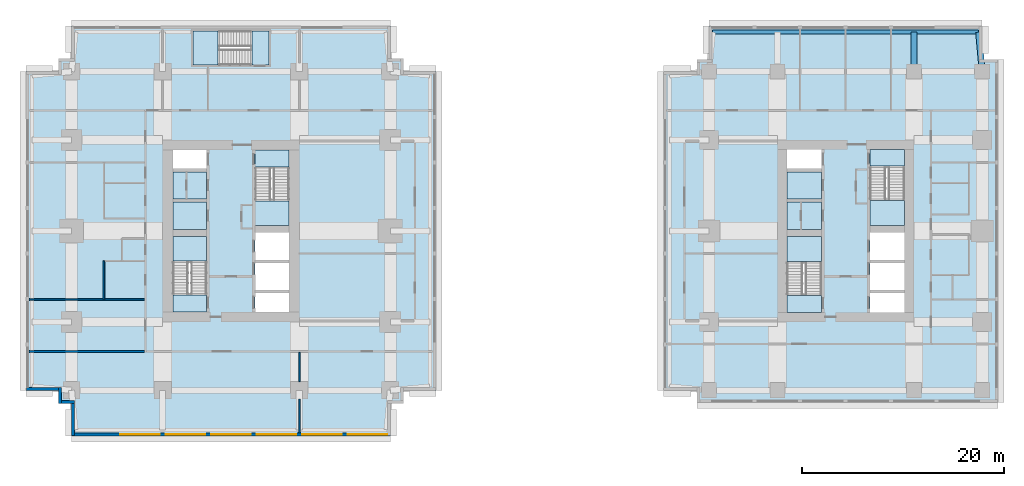
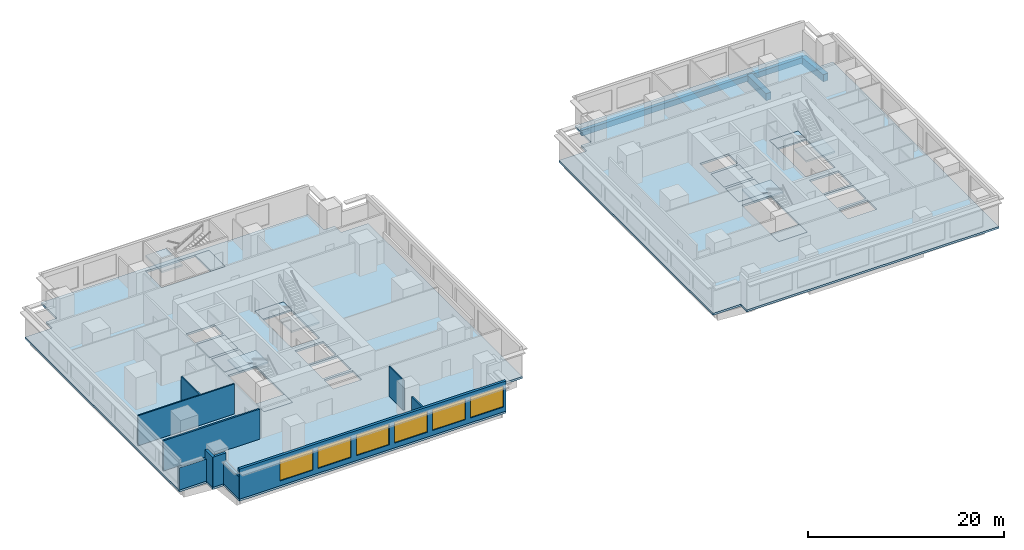
# One storey, part 2 of 10: 16 slabs, 10 walls, 6 windows, 3 beams, 6 openings, 5 elements without a shape of their own.
"""IFC4 building model written with IfcOpenShell, lengths in metres."""

from ifc_helpers import new_model, si_unit, direction, frame, frame_2d, origin, origin_2d, place, context, subcontext, project, spatial, polyline, rectangle, outline, extrude, material, layer, layer_set, material_profile, profile_set, type_object, element, fill, aggregate, save


model = new_model("IFC4")

# Units and contexts
model_context = context("Model", 3, precision=1e-05, world=origin(), true_north=direction((0.0, 1.0)))
body_context = subcontext(model_context, "Body", "Model", "MODEL_VIEW")
ifc_project = project(units=[si_unit("LENGTHUNIT", "METRE"), si_unit("AREAUNIT", "SQUARE_METRE"), si_unit("VOLUMEUNIT", "CUBIC_METRE"), si_unit("PLANEANGLEUNIT", "RADIAN"), si_unit("MASSUNIT", "GRAM", prefix="KILO")], contexts=[model_context])

# Site, building, storey
site_placement = place(None, origin())
site = spatial("IfcSite", under=ifc_project, at=site_placement, CompositionType="ELEMENT")
building_placement = place(site_placement, origin())
building = spatial("IfcBuilding", under=site, at=building_placement, Name="Namib Vertical Campus", CompositionType="ELEMENT")
storey_placement = place(building_placement, frame((0.0, 0.0, 165.0)))
storey = spatial("IfcBuildingStorey", under=building, at=storey_placement, Name="L39", CompositionType="ELEMENT", Elevation=165.0)

# Beams
ifc_material_1 = material(Name="Concrete C40/50", Category="concrete")
ifc_material_profile_1 = material_profile(ifc_material_1, rectangle(XDim=0.60009765625, YDim=0.89990234375, at=origin_2d()))
ifc_profile_set_1 = profile_set([ifc_material_profile_1], Name="Concrete C40/50")
beam_type_1 = type_object("IfcBeamType", Name="Cantilever girder RC 600x900", PredefinedType="BEAM", material=ifc_profile_set_1)
beam_1_placement = place(storey_placement, frame((87.75, 36.0, -0.699951171875), z_axis=(0.0, 1.0, 0.0), x_axis=(-1.0, 0.0, 0.0)))
element("IfcBeam", 1, at=beam_1_placement, inside=storey, type_object=beam_type_1, Name="Beam B3 L39", PredefinedType="BEAM", context=body_context, shape_type="SweptSolid", body=[
    extrude(rectangle(XDim=0.60009765625, YDim=0.89990234375, at=origin_2d()), origin(), (0.0, 0.0, 1.0), 3.89990234375),
])
beam_2_placement = place(storey_placement, frame((94.5, 36.0, -0.699951171875), z_axis=(-0.089411326146, 0.995994786511, 0.0), x_axis=(-0.995994786511, -0.089411326146, 0.0)))
element("IfcBeam", 2, at=beam_2_placement, inside=storey, type_object=beam_type_1, Name="Beam B3 L39", PredefinedType="BEAM", context=body_context, shape_type="SweptSolid", body=[
    extrude(rectangle(XDim=0.60009765625, YDim=0.89990234375, at=origin_2d()), origin(), (0.0, 0.0, 1.0), 3.91552734375),
])
ifc_material_2 = material(Name="Concrete C40/50", Category="concrete")
ifc_material_profile_2 = material_profile(ifc_material_2, rectangle(XDim=0.39990234375, YDim=0.699951171875, at=origin_2d()))
ifc_profile_set_2 = profile_set([ifc_material_profile_2], Name="Concrete C40/50")
beam_type_2 = type_object("IfcBeamType", Name="Edge beam RC 400x700", PredefinedType="SPANDREL", material=ifc_profile_set_2)
beam_3_placement = place(storey_placement, frame((67.85009765625, 39.89990234375, -0.60009765625), z_axis=(1.0, 0.0, 0.0), x_axis=(0.0, 1.0, 0.0)))
element("IfcBeam", 3, at=beam_3_placement, inside=storey, type_object=beam_type_2, Name="Beam B4 L39", PredefinedType="SPANDREL", context=body_context, shape_type="SweptSolid", body=[
    extrude(rectangle(XDim=0.39990234375, YDim=0.699951171875, at=origin_2d()), origin(), (0.0, 0.0, 1.0), 26.2998046875),
])

# Slabs
ifc_material_3 = material(Name="Concrete C40/50", Category="concrete")
ifc_layer_1 = layer(ifc_material_3, 0.25)
ifc_layer_set_1 = layer_set([ifc_layer_1], Name="Concrete C40/50")
slab_type_1 = type_object("IfcSlabType", Name="Floor slab 250", PredefinedType="FLOOR", material=ifc_layer_set_1)
slab_1_placement = place(storey_placement, frame((0.0, 0.0, -0.25)))
element("IfcSlab", 4, at=slab_1_placement, inside=storey, type_object=slab_type_1, Name="Floor slab A L39", PredefinedType="FLOOR", context=body_context, shape_type="SweptSolid", body=[
    extrude(outline(polyline([(4.5, 0.0), (36.0, 0.0), (36.0, 3.199951171875), (37.300048828125, 3.199951171875), (37.300048828125, 4.5), (40.5, 4.5), (40.5, 36.0), (37.300048828125, 36.0), (37.300048828125, 37.300048828125), (36.0, 37.300048828125), (36.0, 40.5), (4.5, 40.5), (4.5, 37.300048828125), (3.199951171875, 37.300048828125), (3.199951171875, 36.0), (0.0, 36.0), (0.0, 4.5), (3.199951171875, 4.5), (3.199951171875, 3.199951171875), (4.5, 3.199951171875), (4.5, 0.0)]), holes=[polyline([(14.5, 12.25), (17.85009765625, 12.25), (17.85009765625, 19.699951171875), (14.5, 19.699951171875), (14.5, 12.25)]), polyline([(22.64990234375, 20.800048828125), (26.0, 20.800048828125), (26.0, 28.25), (22.64990234375, 28.25), (22.64990234375, 20.800048828125)]), polyline([(22.64990234375, 12.25), (26.0, 12.25), (26.0, 14.10009765625), (22.64990234375, 14.10009765625), (22.64990234375, 12.25)]), polyline([(14.5, 20.39990234375), (17.85009765625, 20.39990234375), (17.85009765625, 23.10009765625), (14.5, 23.10009765625), (14.5, 20.39990234375)]), polyline([(14.5, 23.39990234375), (17.85009765625, 23.39990234375), (17.85009765625, 26.10009765625), (14.5, 26.10009765625), (14.5, 23.39990234375)]), polyline([(14.5, 26.39990234375), (17.85009765625, 26.39990234375), (17.85009765625, 28.25), (14.5, 28.25), (14.5, 26.39990234375)]), polyline([(22.64990234375, 14.39990234375), (26.0, 14.39990234375), (26.0, 17.10009765625), (22.64990234375, 17.10009765625), (22.64990234375, 14.39990234375)]), polyline([(22.64990234375, 17.39990234375), (26.0, 17.39990234375), (26.0, 20.10009765625), (22.64990234375, 20.10009765625), (22.64990234375, 17.39990234375)]), polyline([(16.5, 36.64990234375), (24.0, 36.64990234375), (24.0, 40.0), (16.5, 40.0), (16.5, 36.64990234375)])]), origin(), (0.0, 0.0, 1.0), 0.25),
])
slab_2_placement = place(storey_placement, frame((0.0, 0.0, -0.25)))
element("IfcSlab", 5, at=slab_2_placement, inside=storey, type_object=slab_type_1, Name="Floor slab B L39", PredefinedType="FLOOR", context=body_context, shape_type="SweptSolid", body=[
    extrude(outline(polyline([(63.0, 4.5), (66.300048828125, 4.5), (66.300048828125, 3.300048828125), (96.050048828125, 3.300048828125), (96.050048828125, 37.199951171875), (94.5, 37.199951171875), (94.5, 40.5), (67.5, 40.5), (67.5, 37.199951171875), (66.300048828125, 37.199951171875), (66.300048828125, 36.0), (63.0, 36.0), (63.0, 4.5)]), holes=[polyline([(75.199951171875, 12.199951171875), (78.60009765625, 12.199951171875), (78.60009765625, 19.699951171875), (75.199951171875, 19.699951171875), (75.199951171875, 12.199951171875)]), polyline([(83.39990234375, 20.800048828125), (86.800048828125, 20.800048828125), (86.800048828125, 28.300048828125), (83.39990234375, 28.300048828125), (83.39990234375, 20.800048828125)]), polyline([(83.39990234375, 12.199951171875), (86.800048828125, 12.199951171875), (86.800048828125, 14.10009765625), (83.39990234375, 14.10009765625), (83.39990234375, 12.199951171875)]), polyline([(75.199951171875, 20.39990234375), (78.60009765625, 20.39990234375), (78.60009765625, 23.10009765625), (75.199951171875, 23.10009765625), (75.199951171875, 20.39990234375)]), polyline([(75.199951171875, 23.39990234375), (78.60009765625, 23.39990234375), (78.60009765625, 26.10009765625), (75.199951171875, 26.10009765625), (75.199951171875, 23.39990234375)]), polyline([(75.199951171875, 26.39990234375), (78.60009765625, 26.39990234375), (78.60009765625, 28.300048828125), (75.199951171875, 28.300048828125), (75.199951171875, 26.39990234375)]), polyline([(83.39990234375, 14.39990234375), (86.800048828125, 14.39990234375), (86.800048828125, 17.10009765625), (83.39990234375, 17.10009765625), (83.39990234375, 14.39990234375)]), polyline([(83.39990234375, 17.39990234375), (86.800048828125, 17.39990234375), (86.800048828125, 20.10009765625), (83.39990234375, 20.10009765625), (83.39990234375, 17.39990234375)])]), origin(), (0.0, 0.0, 1.0), 0.25),
])
ifc_material_4 = material(Name="Concrete C40/50 precast", Category="concrete")
ifc_layer_2 = layer(ifc_material_4, 0.25)
ifc_layer_set_2 = layer_set([ifc_layer_2], Name="Concrete C40/50 precast")
slab_type_2 = type_object("IfcSlabType", Name="Shaft infill floor 250", PredefinedType="FLOOR", material=ifc_layer_set_2)
slab_3_placement = place(storey_placement, frame((0.0, 0.0, -0.25)))
element("IfcSlab", 6, at=slab_3_placement, inside=storey, type_object=slab_type_2, Name="Shaft infill floor A L39 P1", PredefinedType="FLOOR", context=body_context, shape_type="SweptSolid", body=[
    extrude(outline(polyline([(14.5, 20.39990234375), (17.85009765625, 20.39990234375), (17.85009765625, 23.10009765625), (14.5, 23.10009765625), (14.5, 20.39990234375)])), origin(), (0.0, 0.0, 1.0), 0.25),
])
slab_4_placement = place(storey_placement, frame((0.0, 0.0, -0.25)))
element("IfcSlab", 7, at=slab_4_placement, inside=storey, type_object=slab_type_2, Name="Shaft infill floor A L39 P2", PredefinedType="FLOOR", context=body_context, shape_type="SweptSolid", body=[
    extrude(outline(polyline([(14.5, 23.39990234375), (17.85009765625, 23.39990234375), (17.85009765625, 26.10009765625), (14.5, 26.10009765625), (14.5, 23.39990234375)])), origin(), (0.0, 0.0, 1.0), 0.25),
])
slab_5_placement = place(storey_placement, frame((0.0, 0.0, -0.25)))
element("IfcSlab", 8, at=slab_5_placement, inside=storey, type_object=slab_type_2, Name="Shaft infill floor B L39 P1", PredefinedType="FLOOR", context=body_context, shape_type="SweptSolid", body=[
    extrude(outline(polyline([(75.199951171875, 20.39990234375), (78.60009765625, 20.39990234375), (78.60009765625, 23.10009765625), (75.199951171875, 23.10009765625), (75.199951171875, 20.39990234375)])), origin(), (0.0, 0.0, 1.0), 0.25),
])
slab_6_placement = place(storey_placement, frame((0.0, 0.0, -0.25)))
element("IfcSlab", 9, at=slab_6_placement, inside=storey, type_object=slab_type_2, Name="Shaft infill floor B L39 P2", PredefinedType="FLOOR", context=body_context, shape_type="SweptSolid", body=[
    extrude(outline(polyline([(75.199951171875, 23.39990234375), (78.60009765625, 23.39990234375), (78.60009765625, 26.10009765625), (75.199951171875, 26.10009765625), (75.199951171875, 23.39990234375)])), origin(), (0.0, 0.0, 1.0), 0.25),
])

# Stair, slabs
ifc_material_5 = material(Name="Concrete C40/50 precast", Category="concrete")
stair_type_1 = type_object("IfcStairType", Name="Exit stair 4000 rise 24 risers 3350 wide", PredefinedType="HALF_TURN_STAIR", material=ifc_material_5)
stair_1_placement = place(storey_placement, origin())
stair_1 = element("IfcStair", 10, at=stair_1_placement, inside=storey, type_object=stair_type_1, Name="Exit stair A-S1 L39", PredefinedType="HALF_TURN_STAIR")
ifc_material_6 = material(Name="Concrete C40/50", Category="concrete")
ifc_layer_3 = layer(ifc_material_6, 0.199951171875)
ifc_layer_set_3 = layer_set([ifc_layer_3], Name="Concrete C40/50")
slab_type_3 = type_object("IfcSlabType", Name="Stair landing 200", PredefinedType="LANDING", material=ifc_layer_set_3)
slab_7_placement = place(storey_placement, frame((0.0, 0.0, -0.199951171875)))
slab_7 = element("IfcSlab", 11, at=slab_7_placement, type_object=slab_type_3, Name="A-S1 landing 1", PredefinedType="LANDING", context=body_context, shape_type="SweptSolid", body=[
    extrude(outline(polyline([(14.5, 12.25), (17.85009765625, 12.25), (17.85009765625, 13.90380859375), (14.5, 13.90380859375), (14.5, 12.25)])), origin(), (0.0, 0.0, 1.0), 0.199951171875),
])
slab_8_placement = place(storey_placement, frame((0.0, 0.0, 1.800048828125)))
slab_8 = element("IfcSlab", 12, at=slab_8_placement, type_object=slab_type_3, Name="A-S1 landing 2", PredefinedType="LANDING", context=body_context, shape_type="SweptSolid", body=[
    extrude(outline(polyline([(14.5, 17.276123046875), (17.85009765625, 17.276123046875), (17.85009765625, 19.699951171875), (14.5, 19.699951171875), (14.5, 17.276123046875)])), origin(), (0.0, 0.0, 1.0), 0.199951171875),
])
aggregate(stair_1, [slab_7, slab_8])

stair_2_placement = place(storey_placement, origin())
stair_2 = element("IfcStair", 13, at=stair_2_placement, inside=storey, type_object=stair_type_1, Name="Exit stair A-S2 L39", PredefinedType="HALF_TURN_STAIR")
slab_9_placement = place(storey_placement, frame((0.0, 0.0, -0.199951171875)))
slab_9 = element("IfcSlab", 14, at=slab_9_placement, type_object=slab_type_3, Name="A-S2 landing 1", PredefinedType="LANDING", context=body_context, shape_type="SweptSolid", body=[
    extrude(outline(polyline([(22.64990234375, 26.59619140625), (26.0, 26.59619140625), (26.0, 28.25), (22.64990234375, 28.25), (22.64990234375, 26.59619140625)])), origin(), (0.0, 0.0, 1.0), 0.199951171875),
])
slab_10_placement = place(storey_placement, frame((0.0, 0.0, 1.800048828125)))
slab_10 = element("IfcSlab", 15, at=slab_10_placement, type_object=slab_type_3, Name="A-S2 landing 2", PredefinedType="LANDING", context=body_context, shape_type="SweptSolid", body=[
    extrude(outline(polyline([(22.64990234375, 20.800048828125), (26.0, 20.800048828125), (26.0, 23.223876953125), (22.64990234375, 23.223876953125), (22.64990234375, 20.800048828125)])), origin(), (0.0, 0.0, 1.0), 0.199951171875),
])
aggregate(stair_2, [slab_9, slab_10])

ifc_material_7 = material(Name="Concrete C40/50 precast", Category="concrete")
stair_type_2 = type_object("IfcStairType", Name="Exit stair 4000 rise 24 risers 3400 wide", PredefinedType="HALF_TURN_STAIR", material=ifc_material_7)
stair_3_placement = place(storey_placement, origin())
stair_3 = element("IfcStair", 16, at=stair_3_placement, inside=storey, type_object=stair_type_2, Name="Exit stair B-S1 L39", PredefinedType="HALF_TURN_STAIR")
slab_11_placement = place(storey_placement, frame((0.0, 0.0, -0.199951171875)))
slab_11 = element("IfcSlab", 17, at=slab_11_placement, type_object=slab_type_3, Name="B-S1 landing 1", PredefinedType="LANDING", context=body_context, shape_type="SweptSolid", body=[
    extrude(outline(polyline([(75.199951171875, 12.199951171875), (78.60009765625, 12.199951171875), (78.60009765625, 13.85400390625), (75.199951171875, 13.85400390625), (75.199951171875, 12.199951171875)])), origin(), (0.0, 0.0, 1.0), 0.199951171875),
])
slab_12_placement = place(storey_placement, frame((0.0, 0.0, 1.800048828125)))
slab_12 = element("IfcSlab", 18, at=slab_12_placement, type_object=slab_type_3, Name="B-S1 landing 2", PredefinedType="LANDING", context=body_context, shape_type="SweptSolid", body=[
    extrude(outline(polyline([(75.199951171875, 17.22607421875), (78.60009765625, 17.22607421875), (78.60009765625, 19.699951171875), (75.199951171875, 19.699951171875), (75.199951171875, 17.22607421875)])), origin(), (0.0, 0.0, 1.0), 0.199951171875),
])
aggregate(stair_3, [slab_11, slab_12])

stair_4_placement = place(storey_placement, origin())
stair_4 = element("IfcStair", 19, at=stair_4_placement, inside=storey, type_object=stair_type_2, Name="Exit stair B-S2 L39", PredefinedType="HALF_TURN_STAIR")
slab_13_placement = place(storey_placement, frame((0.0, 0.0, -0.199951171875)))
slab_13 = element("IfcSlab", 20, at=slab_13_placement, type_object=slab_type_3, Name="B-S2 landing 1", PredefinedType="LANDING", context=body_context, shape_type="SweptSolid", body=[
    extrude(outline(polyline([(83.39990234375, 26.64599609375), (86.800048828125, 26.64599609375), (86.800048828125, 28.300048828125), (83.39990234375, 28.300048828125), (83.39990234375, 26.64599609375)])), origin(), (0.0, 0.0, 1.0), 0.199951171875),
])
slab_14_placement = place(storey_placement, frame((0.0, 0.0, 1.800048828125)))
slab_14 = element("IfcSlab", 21, at=slab_14_placement, type_object=slab_type_3, Name="B-S2 landing 2", PredefinedType="LANDING", context=body_context, shape_type="SweptSolid", body=[
    extrude(outline(polyline([(83.39990234375, 20.800048828125), (86.800048828125, 20.800048828125), (86.800048828125, 23.27392578125), (83.39990234375, 23.27392578125), (83.39990234375, 20.800048828125)])), origin(), (0.0, 0.0, 1.0), 0.199951171875),
])
aggregate(stair_4, [slab_13, slab_14])

stair_5_placement = place(storey_placement, origin())
stair_5 = element("IfcStair", 22, at=stair_5_placement, inside=storey, type_object=stair_type_1, Name="Exit stair A-S3 L39", PredefinedType="HALF_TURN_STAIR")
slab_15_placement = place(storey_placement, frame((0.0, 0.0, -0.199951171875)))
slab_15 = element("IfcSlab", 23, at=slab_15_placement, type_object=slab_type_3, Name="A-S3 landing 1", PredefinedType="LANDING", context=body_context, shape_type="SweptSolid", body=[
    extrude(outline(polyline([(22.34619140625, 36.64990234375), (22.34619140625, 40.0), (24.0, 40.0), (24.0, 36.64990234375), (22.34619140625, 36.64990234375)])), origin(), (0.0, 0.0, 1.0), 0.199951171875),
])
slab_16_placement = place(storey_placement, frame((0.0, 0.0, 1.800048828125)))
slab_16 = element("IfcSlab", 24, at=slab_16_placement, type_object=slab_type_3, Name="A-S3 landing 2", PredefinedType="LANDING", context=body_context, shape_type="SweptSolid", body=[
    extrude(outline(polyline([(16.5, 36.64990234375), (16.5, 40.0), (18.973876953125, 40.0), (18.973876953125, 36.64990234375), (16.5, 36.64990234375)])), origin(), (0.0, 0.0, 1.0), 0.199951171875),
])
aggregate(stair_5, [slab_15, slab_16])

# Wall
ifc_material_8 = material(Name="Concrete masonry", Category="masonry")
ifc_layer_4 = layer(ifc_material_8, 0.199951171875)
ifc_layer_set_4 = layer_set([ifc_layer_4], Name="Corridor wall 200")
wall_type_1 = type_object("IfcWallType", Name="Corridor wall 200", PredefinedType="SOLIDWALL", material=ifc_layer_set_4)
wall_1_placement = place(storey_placement, frame((0.300048828125, 8.35009765625, 0.0), z_axis=(0.0, 0.0, 1.0), x_axis=(1.0, 0.0, 0.0)))
element("IfcWall", 25, at=wall_1_placement, inside=storey, type_object=wall_type_1, Name="Partition A L39 BSW", PredefinedType="SOLIDWALL", context=body_context, shape_type="SweptSolid", body=[
    extrude(rectangle(XDim=11.39990234375, YDim=0.199951171875, at=frame_2d((5.699951171875, 0.0))), origin(), (0.0, 0.0, 1.0), 3.75),
])

# Wall, openings, windows
ifc_material_9 = material(Name="Concrete C40/50", Category="concrete")
ifc_layer_5 = layer(ifc_material_9, 0.300048828125)
ifc_layer_set_5 = layer_set([ifc_layer_5], Name="Concrete C40/50")
wall_type_2 = type_object("IfcWallType", Name="External wall 300 board-marked concrete", PredefinedType="STANDARD", material=ifc_layer_set_5)
wall_2_placement = place(storey_placement, frame((4.52001953125, 0.14990234375, 0.0), z_axis=(0.0, 0.0, 1.0), x_axis=(1.0, 0.0, 0.0)))
wall_2 = element("IfcWall", 26, at=wall_2_placement, inside=storey, type_object=wall_type_2, Name="External wall L39 F01", PredefinedType="STANDARD", context=body_context, shape_type="SweptSolid", body=[
    extrude(rectangle(XDim=31.4599609375, YDim=0.300048828125, at=frame_2d((15.72998046875, 0.0))), origin(), (0.0, 0.0, 1.0), 3.75),
])
opening_1_placement = place(wall_2_placement, frame((4.780029296875, 0.0, 0.60009765625)))
opening_1 = element("IfcOpeningElement", 27, at=opening_1_placement, cuts=wall_2, Name="Opening W2", PredefinedType="OPENING", context=body_context, shape_type="SweptSolid", body=[
    extrude(rectangle(XDim=3.89990234375, YDim=2.60009765625, at=frame_2d((1.949951171875, 1.300048828125))), frame((0.0, 0.159912109375, 0.0), z_axis=(0.0, -1.0, 0.0), x_axis=(1.0, 0.0, 0.0)), (0.0, 0.0, 1.0), 0.320068359375),
])
opening_2_placement = place(wall_2_placement, frame((9.280029296875, 0.0, 0.60009765625)))
opening_2 = element("IfcOpeningElement", 28, at=opening_2_placement, cuts=wall_2, Name="Opening W2", PredefinedType="OPENING", context=body_context, shape_type="SweptSolid", body=[
    extrude(rectangle(XDim=3.89990234375, YDim=2.60009765625, at=frame_2d((1.949951171875, 1.300048828125))), frame((0.0, 0.159912109375, 0.0), z_axis=(0.0, -1.0, 0.0), x_axis=(1.0, 0.0, 0.0)), (0.0, 0.0, 1.0), 0.320068359375),
])
opening_3_placement = place(wall_2_placement, frame((13.780029296875, 0.0, 0.60009765625)))
opening_3 = element("IfcOpeningElement", 29, at=opening_3_placement, cuts=wall_2, Name="Opening W2", PredefinedType="OPENING", context=body_context, shape_type="SweptSolid", body=[
    extrude(rectangle(XDim=3.89990234375, YDim=2.60009765625, at=frame_2d((1.949951171875, 1.300048828125))), frame((0.0, 0.159912109375, 0.0), z_axis=(0.0, -1.0, 0.0), x_axis=(1.0, 0.0, 0.0)), (0.0, 0.0, 1.0), 0.320068359375),
])
opening_4_placement = place(wall_2_placement, frame((18.280029296875, 0.0, 0.60009765625)))
opening_4 = element("IfcOpeningElement", 30, at=opening_4_placement, cuts=wall_2, Name="Opening W2", PredefinedType="OPENING", context=body_context, shape_type="SweptSolid", body=[
    extrude(rectangle(XDim=3.89990234375, YDim=2.60009765625, at=frame_2d((1.949951171875, 1.300048828125))), frame((0.0, 0.159912109375, 0.0), z_axis=(0.0, -1.0, 0.0), x_axis=(1.0, 0.0, 0.0)), (0.0, 0.0, 1.0), 0.320068359375),
])
opening_5_placement = place(wall_2_placement, frame((22.780029296875, 0.0, 0.60009765625)))
opening_5 = element("IfcOpeningElement", 31, at=opening_5_placement, cuts=wall_2, Name="Opening W2", PredefinedType="OPENING", context=body_context, shape_type="SweptSolid", body=[
    extrude(rectangle(XDim=3.89990234375, YDim=2.60009765625, at=frame_2d((1.949951171875, 1.300048828125))), frame((0.0, 0.159912109375, 0.0), z_axis=(0.0, -1.0, 0.0), x_axis=(1.0, 0.0, 0.0)), (0.0, 0.0, 1.0), 0.320068359375),
])
opening_6_placement = place(wall_2_placement, frame((27.280029296875, 0.0, 0.60009765625)))
opening_6 = element("IfcOpeningElement", 32, at=opening_6_placement, cuts=wall_2, Name="Opening W2", PredefinedType="OPENING", context=body_context, shape_type="SweptSolid", body=[
    extrude(rectangle(XDim=3.89990234375, YDim=2.60009765625, at=frame_2d((1.949951171875, 1.300048828125))), frame((0.0, 0.159912109375, 0.0), z_axis=(0.0, -1.0, 0.0), x_axis=(1.0, 0.0, 0.0)), (0.0, 0.0, 1.0), 0.320068359375),
])
ifc_material_10 = material(Name="Dark tinted glass in black aluminium frame", Category="aluminium")
window_type = type_object("IfcWindowType", Name="Ribbon window 3900x2600", PartitioningType="SINGLE_PANEL", PredefinedType="WINDOW", material=ifc_material_10)
window_1_placement = place(opening_1_placement, origin())
window_1 = element("IfcWindow", 33, at=window_1_placement, inside=storey, type_object=window_type, Name="Window W2 L39 F01-2", OverallHeight=2.60009765625, OverallWidth=3.89990234375, PartitioningType="SINGLE_PANEL", PredefinedType="WINDOW", context=body_context, shape_type="SweptSolid", body=[
    extrude(rectangle(XDim=3.89990234375, YDim=2.60009765625, at=frame_2d((1.949951171875, 1.300048828125))), frame((0.0, 0.030029296875, 0.0), z_axis=(0.0, -1.0, 0.0), x_axis=(1.0, 0.0, 0.0)), (0.0, 0.0, 1.0), 0.06005859375),
])
fill(opening_1, window_1)
window_2_placement = place(opening_2_placement, origin())
window_2 = element("IfcWindow", 34, at=window_2_placement, inside=storey, type_object=window_type, Name="Window W2 L39 F01-3", OverallHeight=2.60009765625, OverallWidth=3.89990234375, PartitioningType="SINGLE_PANEL", PredefinedType="WINDOW", context=body_context, shape_type="SweptSolid", body=[
    extrude(rectangle(XDim=3.89990234375, YDim=2.60009765625, at=frame_2d((1.949951171875, 1.300048828125))), frame((0.0, 0.030029296875, 0.0), z_axis=(0.0, -1.0, 0.0), x_axis=(1.0, 0.0, 0.0)), (0.0, 0.0, 1.0), 0.06005859375),
])
fill(opening_2, window_2)
window_3_placement = place(opening_3_placement, origin())
window_3 = element("IfcWindow", 35, at=window_3_placement, inside=storey, type_object=window_type, Name="Window W2 L39 F01-4", OverallHeight=2.60009765625, OverallWidth=3.89990234375, PartitioningType="SINGLE_PANEL", PredefinedType="WINDOW", context=body_context, shape_type="SweptSolid", body=[
    extrude(rectangle(XDim=3.89990234375, YDim=2.60009765625, at=frame_2d((1.949951171875, 1.300048828125))), frame((0.0, 0.030029296875, 0.0), z_axis=(0.0, -1.0, 0.0), x_axis=(1.0, 0.0, 0.0)), (0.0, 0.0, 1.0), 0.06005859375),
])
fill(opening_3, window_3)
window_4_placement = place(opening_4_placement, origin())
window_4 = element("IfcWindow", 36, at=window_4_placement, inside=storey, type_object=window_type, Name="Window W2 L39 F01-5", OverallHeight=2.60009765625, OverallWidth=3.89990234375, PartitioningType="SINGLE_PANEL", PredefinedType="WINDOW", context=body_context, shape_type="SweptSolid", body=[
    extrude(rectangle(XDim=3.89990234375, YDim=2.60009765625, at=frame_2d((1.949951171875, 1.300048828125))), frame((0.0, 0.030029296875, 0.0), z_axis=(0.0, -1.0, 0.0), x_axis=(1.0, 0.0, 0.0)), (0.0, 0.0, 1.0), 0.06005859375),
])
fill(opening_4, window_4)
window_5_placement = place(opening_5_placement, origin())
window_5 = element("IfcWindow", 37, at=window_5_placement, inside=storey, type_object=window_type, Name="Window W2 L39 F01-6", OverallHeight=2.60009765625, OverallWidth=3.89990234375, PartitioningType="SINGLE_PANEL", PredefinedType="WINDOW", context=body_context, shape_type="SweptSolid", body=[
    extrude(rectangle(XDim=3.89990234375, YDim=2.60009765625, at=frame_2d((1.949951171875, 1.300048828125))), frame((0.0, 0.030029296875, 0.0), z_axis=(0.0, -1.0, 0.0), x_axis=(1.0, 0.0, 0.0)), (0.0, 0.0, 1.0), 0.06005859375),
])
fill(opening_5, window_5)
window_6_placement = place(opening_6_placement, origin())
window_6 = element("IfcWindow", 38, at=window_6_placement, inside=storey, type_object=window_type, Name="Window W2 L39 F01-7", OverallHeight=2.60009765625, OverallWidth=3.89990234375, PartitioningType="SINGLE_PANEL", PredefinedType="WINDOW", context=body_context, shape_type="SweptSolid", body=[
    extrude(rectangle(XDim=3.89990234375, YDim=2.60009765625, at=frame_2d((1.949951171875, 1.300048828125))), frame((0.0, 0.030029296875, 0.0), z_axis=(0.0, -1.0, 0.0), x_axis=(1.0, 0.0, 0.0)), (0.0, 0.0, 1.0), 0.06005859375),
])
fill(opening_6, window_6)

# Walls
wall_3_placement = place(storey_placement, frame((0.02001953125, 4.64990234375, 0.0), z_axis=(0.0, 0.0, 1.0), x_axis=(1.0, 0.0, 0.0)))
element("IfcWall", 39, at=wall_3_placement, inside=storey, type_object=wall_type_2, Name="External wall L39 F17", PredefinedType="STANDARD", context=body_context, shape_type="SweptSolid", body=[
    extrude(rectangle(XDim=3.4599609375, YDim=0.300048828125, at=frame_2d((1.72998046875, 0.0))), origin(), (0.0, 0.0, 1.0), 2.75),
])
for number, where, z_axis, x_axis, name in (
    (40, (3.35009765625, 4.780029296875, 0.0), (0.0, 0.0, 1.0), (0.0, -1.0, 0.0), "External wall L39 F18"),
    (41, (3.219970703125, 3.35009765625, 0.0), (0.0, 0.0, 1.0), (1.0, 0.0, 0.0), "External wall L39 F19"),
):
    element("IfcWall", number, at=place(storey_placement, frame(where, z_axis=z_axis, x_axis=x_axis)), inside=storey, type_object=wall_type_2, Name=name, PredefinedType="STANDARD", context=body_context, shape_type="SweptSolid", body=[
        extrude(rectangle(XDim=1.56005859375, YDim=0.300048828125, at=frame_2d((0.780029296875, 0.0))), origin(), (0.0, 0.0, 1.0), 3.75),
    ])
wall_4_placement = place(storey_placement, frame((4.64990234375, 3.47998046875, 0.0), z_axis=(0.0, 0.0, 1.0), x_axis=(0.0, -1.0, 0.0)))
element("IfcWall", 42, at=wall_4_placement, inside=storey, type_object=wall_type_2, Name="External wall L39 F20", PredefinedType="STANDARD", context=body_context, shape_type="SweptSolid", body=[
    extrude(rectangle(XDim=3.4599609375, YDim=0.300048828125, at=frame_2d((1.72998046875, 0.0))), origin(), (0.0, 0.0, 1.0), 2.75),
])
ifc_material_11 = material(Name="Gypsum board on steel studs", Category="steel")
ifc_layer_6 = layer(ifc_material_11, 0.14990234375)
ifc_layer_set_6 = layer_set([ifc_layer_6], Name="Gypsum board on steel studs")
wall_type_3 = type_object("IfcWallType", Name="Partition 150", PredefinedType="PARTITIONING", material=ifc_layer_set_6)
wall_5_placement = place(storey_placement, frame((27.0, 0.300048828125, 0.0), z_axis=(0.0, 0.0, 1.0), x_axis=(0.0, 1.0, 0.0)))
element("IfcWall", 43, at=wall_5_placement, inside=storey, type_object=wall_type_3, Name="Partition A L39 PS1", PredefinedType="PARTITIONING", context=body_context, shape_type="SweptSolid", body=[
    extrude(rectangle(XDim=3.329833984375, YDim=0.14990234375, at=frame_2d((1.6650390625, 0.0))), origin(), (0.0, 0.0, 1.0), 2.75),
])
wall_6_placement = place(storey_placement, frame((27.0, 5.3701171875, 0.0), z_axis=(0.0, 0.0, 1.0), x_axis=(0.0, 1.0, 0.0)))
element("IfcWall", 44, at=wall_6_placement, inside=storey, type_object=wall_type_3, Name="Partition A L39 PS1", PredefinedType="PARTITIONING", context=body_context, shape_type="SweptSolid", body=[
    extrude(rectangle(XDim=2.8798828125, YDim=0.14990234375, at=frame_2d((1.43994140625, 0.0))), origin(), (0.0, 0.0, 1.0), 3.75),
])
wall_7_placement = place(storey_placement, frame((0.300048828125, 13.5, 0.0), z_axis=(0.0, 0.0, 1.0), x_axis=(1.0, 0.0, 0.0)))
element("IfcWall", 45, at=wall_7_placement, inside=storey, type_object=wall_type_3, Name="Partition A L39 PW1", PredefinedType="PARTITIONING", context=body_context, shape_type="SweptSolid", body=[
    extrude(rectangle(XDim=11.39990234375, YDim=0.14990234375, at=frame_2d((5.699951171875, 0.0))), origin(), (0.0, 0.0, 1.0), 3.75),
])
wall_8_placement = place(storey_placement, frame((7.699951171875, 13.5, 0.0), z_axis=(0.0, 0.0, 1.0), x_axis=(0.0, 1.0, 0.0)))
element("IfcWall", 46, at=wall_8_placement, inside=storey, type_object=wall_type_3, Name="Partition A L39 WB1", PredefinedType="PARTITIONING", context=body_context, shape_type="SweptSolid", body=[
    extrude(rectangle(XDim=3.800048828125, YDim=0.14990234375, at=frame_2d((1.89990234375, 0.0))), origin(), (0.0, 0.0, 1.0), 3.75),
])

save(model, "model.ifc")
